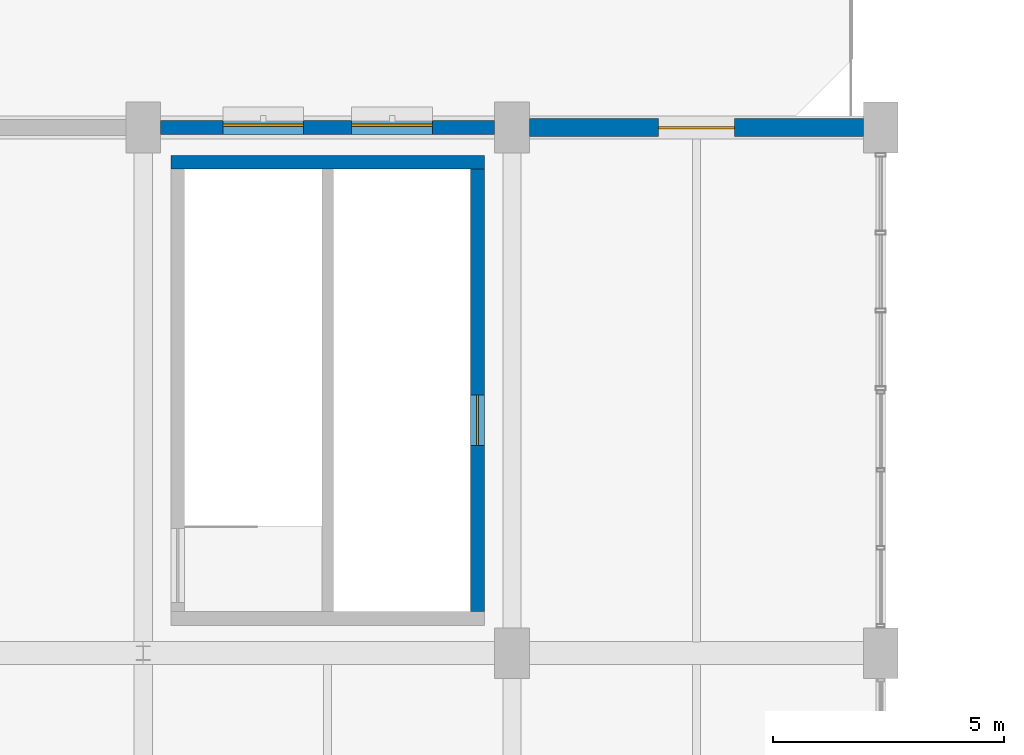
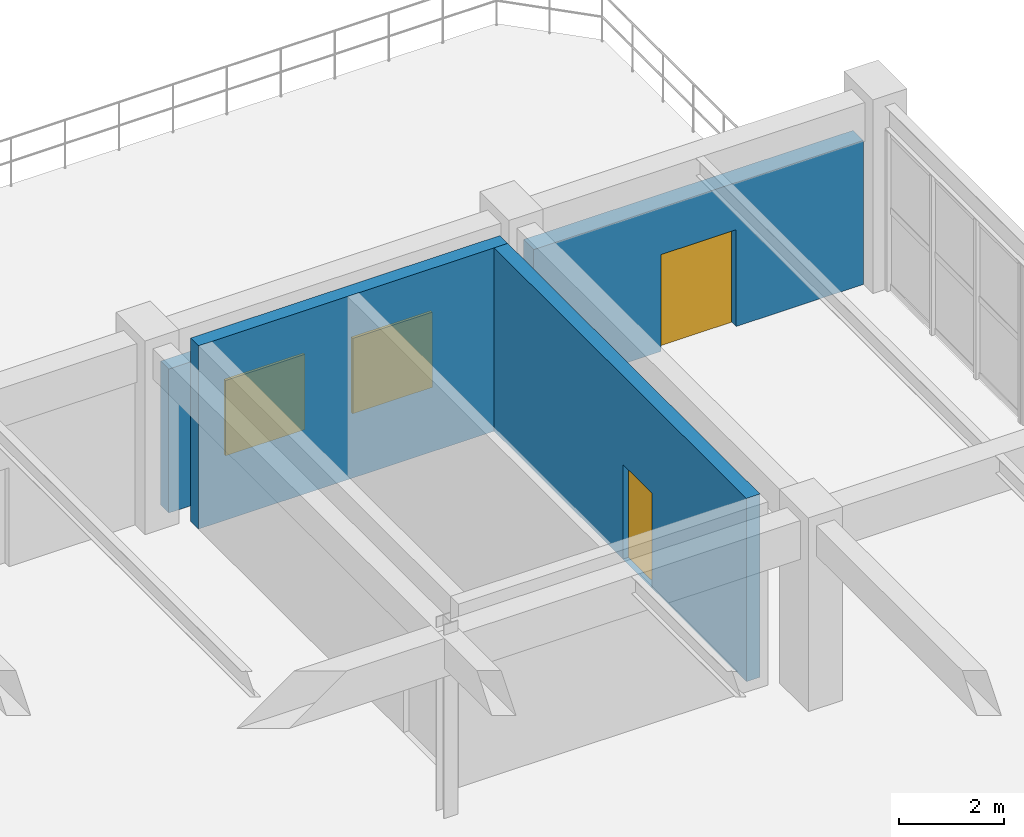
# One storey, part 38 of 48: 4 walls, 2 doors, 2 windows, 4 openings.
"""IFC4 building model written with IfcOpenShell, lengths in metres."""

from ifc_helpers import new_model, si_unit, direction, frame, frame_2d, origin, place, context, subcontext, project, spatial, rectangle, extrude, material, layer, layer_set, type_object, element, fill, save


model = new_model("IFC4")

# Units and contexts
model_context = context("Model", 3, precision=1e-05, world=origin(), true_north=direction((0.0, 1.0)))
body_context = subcontext(model_context, "Body", "Model", "MODEL_VIEW")
ifc_project = project(units=[si_unit("LENGTHUNIT", "METRE"), si_unit("AREAUNIT", "SQUARE_METRE"), si_unit("VOLUMEUNIT", "CUBIC_METRE"), si_unit("PLANEANGLEUNIT", "RADIAN"), si_unit("MASSUNIT", "GRAM", prefix="KILO"), si_unit("POWERUNIT", "WATT"), si_unit("THERMODYNAMICTEMPERATUREUNIT", "KELVIN")], contexts=[model_context])

# Site, building, storey
site_placement = place(None, origin())
site = spatial("IfcSite", under=ifc_project, at=site_placement, CompositionType="ELEMENT")
building_placement = place(site_placement, origin())
building = spatial("IfcBuilding", under=site, at=building_placement, Name="Kelmbourne Parkland Aquatics Centre", CompositionType="ELEMENT")
storey_placement = place(building_placement, frame((0.0, 0.0, 14.699951171875)))
storey = spatial("IfcBuildingStorey", under=building, at=storey_placement, Name="L03", CompositionType="ELEMENT", Elevation=14.699951171875)

# Wall
ifc_material_1 = material(Name="Concrete C40/50", Category="concrete")
ifc_layer_1 = layer(ifc_material_1, 0.300048828125)
ifc_layer_set_1 = layer_set([ifc_layer_1], Name="Concrete C40/50")
wall_type_1 = type_object("IfcWallType", Name="W-CORE-300", PredefinedType="SHEAR", material=ifc_layer_set_1)
wall_1_placement = place(storey_placement, frame((24.60009765625, 45.64990234375, 0.0), z_axis=(0.0, 0.0, 1.0), x_axis=(1.0, 0.0, 0.0)))
element("IfcWall", 1, at=wall_1_placement, inside=storey, type_object=wall_type_1, Name="West Wing North Passenger Core north wall (L03)", PredefinedType="SHEAR", context=body_context, shape_type="SweptSolid", body=[
    extrude(rectangle(XDim=6.7998046875, YDim=0.300048828125, at=frame_2d((3.39990234375, 0.0))), origin(), (0.0, 0.0, 1.0), 4.260009765625),
])

# Wall, opening, door
wall_2_placement = place(storey_placement, frame((31.25, 35.89990234375, 0.0), z_axis=(0.0, 0.0, 1.0), x_axis=(0.0, 1.0, 0.0)))
wall_2 = element("IfcWall", 2, at=wall_2_placement, inside=storey, type_object=wall_type_1, Name="West Wing North Passenger Core east wall (L03)", PredefinedType="SHEAR", context=body_context, shape_type="SweptSolid", body=[
    extrude(rectangle(XDim=9.60009765625, YDim=0.300048828125, at=frame_2d((4.800048828125, 0.0))), origin(), (0.0, 0.0, 1.0), 4.260009765625),
])
opening_1_placement = place(wall_2_placement, frame((3.60009765625, 0.0, 0.0)))
opening_1 = element("IfcOpeningElement", 3, at=opening_1_placement, cuts=wall_2, Name="Opening LD01", PredefinedType="OPENING", context=body_context, shape_type="SweptSolid", body=[
    extrude(rectangle(XDim=1.10009765625, YDim=2.199951171875, at=frame_2d((0.550048828125, 1.10009765625))), frame((0.0, 0.162109375, 0.0), z_axis=(0.0, -1.0, 0.0), x_axis=(1.0, 0.0, 0.0)), (0.0, 0.0, 1.0), 0.323974609375),
])
ifc_material_2 = material(Name="Marine-grade stainless steel and fire-rated hardwood doorset", Category="steel")
ifc_layer_2 = layer(ifc_material_2, 0.050048828125)
ifc_layer_set_2 = layer_set([ifc_layer_2], Name="Marine-grade stainless steel and fire-rated hardwood doorset")
door_type_1 = type_object("IfcDoorType", Name="DR-LD-110", OperationType="NOTDEFINED", PredefinedType="DOOR", material=ifc_layer_set_2)
door_1_placement = place(opening_1_placement, origin())
door_1 = element("IfcDoor", 4, at=door_1_placement, inside=storey, type_object=door_type_1, Name="Lift landing sliding door LF03 (L03)", OperationType="SLIDING_TO_LEFT", OverallHeight=2.199951171875, OverallWidth=1.10009765625, PredefinedType="DOOR", context=body_context, shape_type="SweptSolid", body=[
    extrude(rectangle(XDim=1.10009765625, YDim=2.199951171875, at=frame_2d((0.550048828125, 1.10009765625))), frame((0.0, 0.02490234375, 0.0), z_axis=(0.0, -1.0, 0.0), x_axis=(1.0, 0.0, 0.0)), (0.0, 0.0, 1.0), 0.050048828125),
])
fill(opening_1, door_1)

# Wall, openings, windows
ifc_material_3 = material(Name="Russet clinker clay brickwork", Category="masonry")
ifc_layer_3 = layer(ifc_material_3, 0.31005859375)
ifc_layer_set_3 = layer_set([ifc_layer_3], Name="Russet clinker clay brickwork")
wall_type_2 = type_object("IfcWallType", Name="W-EXT-310", PredefinedType="STANDARD", material=ifc_layer_set_3)
wall_3_placement = place(storey_placement, frame((24.376953125, 46.39990234375, 0.0), z_axis=(0.0, 0.0, 1.0), x_axis=(1.0, 0.0, 0.0)))
wall_3 = element("IfcWall", 5, at=wall_3_placement, inside=storey, type_object=wall_type_2, Name="Exterior polychrome brick wall EW-L03-131", PredefinedType="STANDARD", context=body_context, shape_type="SweptSolid", body=[
    extrude(rectangle(XDim=7.24609375, YDim=0.31005859375, at=frame_2d((3.623046875, 0.0))), origin(), (0.0, 0.0, 1.0), 3.344970703125),
])
opening_2_placement = place(wall_3_placement, frame((1.35009765625, 0.0, 0.75)))
opening_2 = element("IfcOpeningElement", 6, at=opening_2_placement, cuts=wall_3, Name="Opening W04", PredefinedType="OPENING", context=body_context, shape_type="SweptSolid", body=[
    extrude(rectangle(XDim=1.75, YDim=1.75, at=frame_2d((0.875, 0.875))), frame((0.0, 0.1669921875, 0.0), z_axis=(0.0, -1.0, 0.0), x_axis=(1.0, 0.0, 0.0)), (0.0, 0.0, 1.0), 0.333984375),
])
opening_3_placement = place(wall_3_placement, frame((4.14599609375, 0.0, 0.75)))
opening_3 = element("IfcOpeningElement", 7, at=opening_3_placement, cuts=wall_3, Name="Opening W04", PredefinedType="OPENING", context=body_context, shape_type="SweptSolid", body=[
    extrude(rectangle(XDim=1.75, YDim=1.75, at=frame_2d((0.875, 0.875))), frame((0.0, 0.1669921875, 0.0), z_axis=(0.0, -1.0, 0.0), x_axis=(1.0, 0.0, 0.0)), (0.0, 0.0, 1.0), 0.333984375),
])
ifc_material_4 = material(Name="Thermally broken anodised aluminium window with low-e glass", Category="aluminium")
ifc_layer_4 = layer(ifc_material_4, 0.090087890625)
ifc_layer_set_4 = layer_set([ifc_layer_4], Name="Thermally broken anodised aluminium window with low-e glass")
window_type = type_object("IfcWindowType", Name="WN-04", PartitioningType="DOUBLE_PANEL_VERTICAL", PredefinedType="WINDOW", material=ifc_layer_set_4)
window_1_placement = place(opening_2_placement, origin())
window_1 = element("IfcWindow", 8, at=window_1_placement, inside=storey, type_object=window_type, Name="Deep-reveal masonry window W04", OverallHeight=1.75, OverallWidth=1.75, PartitioningType="DOUBLE_PANEL_VERTICAL", PredefinedType="WINDOW", context=body_context, shape_type="SweptSolid", body=[
    extrude(rectangle(XDim=1.75, YDim=1.75, at=frame_2d((0.875, 0.875))), frame((0.0, 0.080078125, 0.0), z_axis=(0.0, -1.0, 0.0), x_axis=(1.0, 0.0, 0.0)), (0.0, 0.0, 1.0), 0.06005859375),
])
fill(opening_2, window_1)
window_2_placement = place(opening_3_placement, origin())
window_2 = element("IfcWindow", 9, at=window_2_placement, inside=storey, type_object=window_type, Name="Deep-reveal masonry window W04", OverallHeight=1.75, OverallWidth=1.75, PartitioningType="DOUBLE_PANEL_VERTICAL", PredefinedType="WINDOW", context=body_context, shape_type="SweptSolid", body=[
    extrude(rectangle(XDim=1.75, YDim=1.75, at=frame_2d((0.875, 0.875))), frame((0.0, 0.080078125, 0.0), z_axis=(0.0, -1.0, 0.0), x_axis=(1.0, 0.0, 0.0)), (0.0, 0.0, 1.0), 0.06005859375),
])
fill(opening_3, window_2)

# Wall, opening, door
ifc_layer_5 = layer(ifc_material_3, 0.389892578125)
ifc_layer_set_5 = layer_set([ifc_layer_5], Name="Russet clinker clay brickwork")
wall_type_3 = type_object("IfcWallType", Name="W-EXT-390", PredefinedType="STANDARD", material=ifc_layer_set_5)
wall_4_placement = place(storey_placement, frame((32.376953125, 46.39990234375, 0.0), z_axis=(0.0, 0.0, 1.0), x_axis=(1.0, 0.0, 0.0)))
wall_4 = element("IfcWall", 10, at=wall_4_placement, inside=storey, type_object=wall_type_3, Name="Exterior polychrome brick wall EW-L03-132", PredefinedType="STANDARD", context=body_context, shape_type="SweptSolid", body=[
    extrude(rectangle(XDim=7.24609375, YDim=0.389892578125, at=frame_2d((3.623046875, 0.0))), origin(), (0.0, 0.0, 1.0), 3.344970703125),
])
opening_4_placement = place(wall_4_placement, frame((2.798095703125, 0.0, 0.0)))
opening_4 = element("IfcOpeningElement", 11, at=opening_4_placement, cuts=wall_4, Name="Opening TRD2", PredefinedType="OPENING", context=body_context, shape_type="SweptSolid", body=[
    extrude(rectangle(XDim=1.64990234375, YDim=2.25, at=frame_2d((0.824951171875, 1.125))), frame((0.0, 0.20703125, 0.0), z_axis=(0.0, -1.0, 0.0), x_axis=(1.0, 0.0, 0.0)), (0.0, 0.0, 1.0), 0.413818359375),
])
ifc_material_5 = material(Name="Thermally broken anodised aluminium commercial door", Category="aluminium")
ifc_layer_6 = layer(ifc_material_5, 0.06005859375)
ifc_layer_set_6 = layer_set([ifc_layer_6], Name="Thermally broken anodised aluminium commercial door")
door_type_2 = type_object("IfcDoorType", Name="DR-TER-165", OperationType="NOTDEFINED", PredefinedType="DOOR", material=ifc_layer_set_6)
door_2_placement = place(opening_4_placement, origin())
door_2 = element("IfcDoor", 12, at=door_2_placement, inside=storey, type_object=door_type_2, Name="Walkable terrace access door EW-L03-132", OperationType="DOUBLE_DOOR_SINGLE_SWING", OverallHeight=2.25, OverallWidth=1.64990234375, PredefinedType="DOOR", context=body_context, shape_type="SweptSolid", body=[
    extrude(rectangle(XDim=1.64990234375, YDim=2.25, at=frame_2d((0.824951171875, 1.125))), frame((0.0, 0.02490234375, 0.0), z_axis=(0.0, -1.0, 0.0), x_axis=(1.0, 0.0, 0.0)), (0.0, 0.0, 1.0), 0.050048828125),
])
fill(opening_4, door_2)

save(model, "model.ifc")
